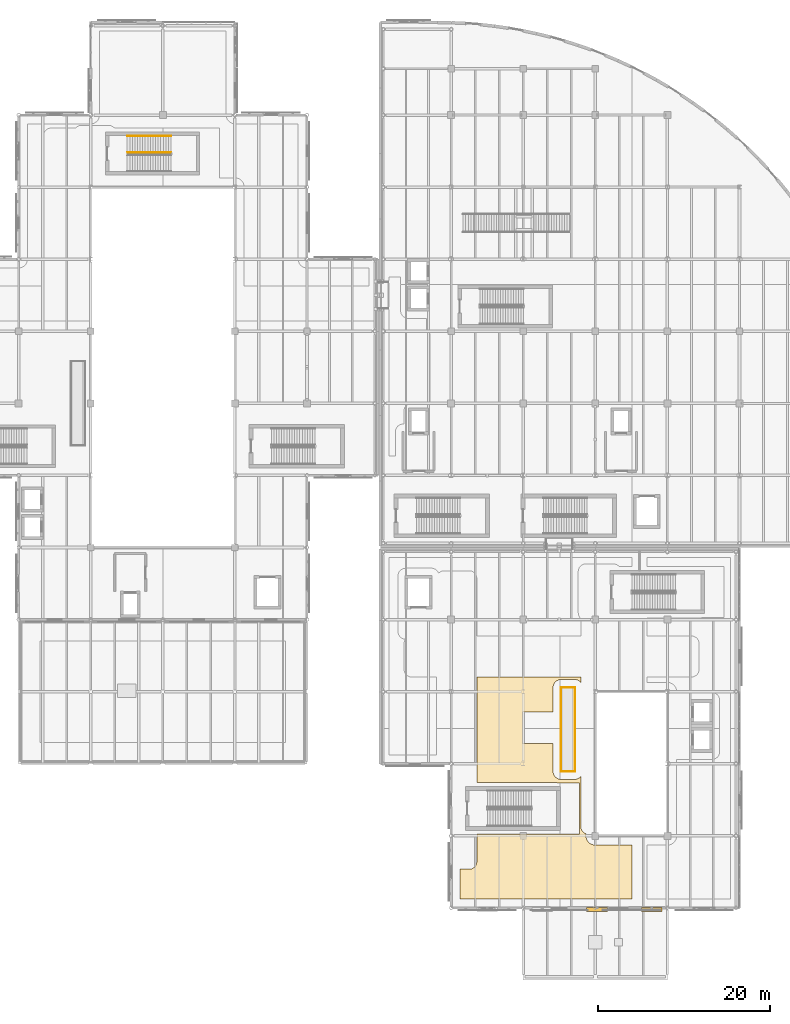
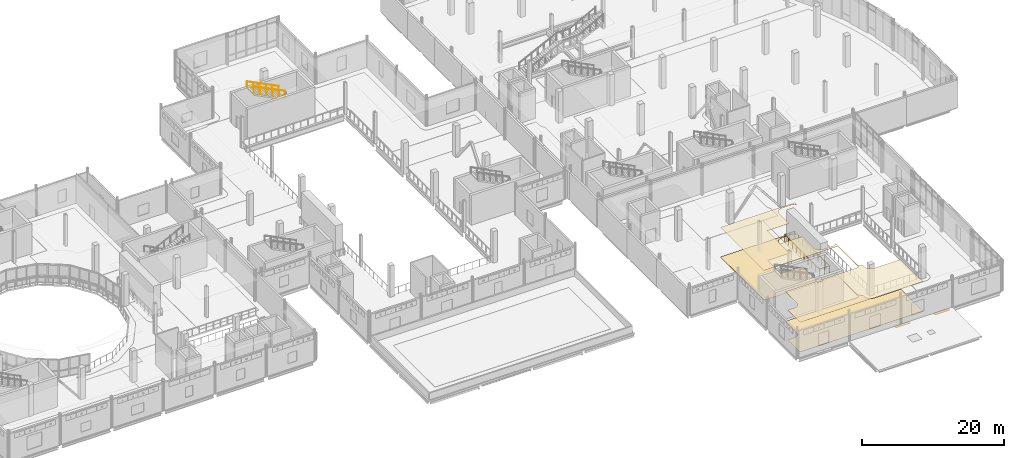
# One storey, part 104 of 110: 3 railings, 2 coverings, 2 shading devices.
"""IFC4 building model written with IfcOpenShell, lengths in metres."""

from ifc_helpers import new_model, si_unit, direction, frame, origin, origin_2d, place, context, subcontext, project, spatial, polyline, rectangle, circle, outline, extrude, material, layer, layer_set, type_object, element, save


model = new_model("IFC4")

# Units and contexts
model_context = context("Model", 3, precision=1e-05, world=origin(), true_north=direction((0.0, 1.0)))
body_context = subcontext(model_context, "Body", "Model", "MODEL_VIEW")
ifc_project = project(units=[si_unit("LENGTHUNIT", "METRE"), si_unit("AREAUNIT", "SQUARE_METRE"), si_unit("VOLUMEUNIT", "CUBIC_METRE"), si_unit("PLANEANGLEUNIT", "RADIAN"), si_unit("MASSUNIT", "GRAM", prefix="KILO"), si_unit("THERMODYNAMICTEMPERATUREUNIT", "KELVIN")], contexts=[model_context])

# Site, building, storey
site_placement = place(None, origin())
site = spatial("IfcSite", under=ifc_project, at=site_placement, CompositionType="ELEMENT")
building_placement = place(site_placement, origin())
building = spatial("IfcBuilding", under=site, at=building_placement, Name="Lustrewick Department Store", CompositionType="ELEMENT")
storey_placement = place(building_placement, frame((0.0, 0.0, 6.0)))
storey = spatial("IfcBuildingStorey", under=building, at=storey_placement, Name="L02", CompositionType="ELEMENT", Elevation=6.0)

# Coverings
ifc_material_1 = material(Name="Perforated mineral-fibre acoustic ceiling board", Category="gypsum")
ifc_layer_1 = layer(ifc_material_1, 0.02490234375, Name="Perforated mineral-fibre acoustic ceiling board")
ifc_layer_set_1 = layer_set([ifc_layer_1], Name="Perforated mineral-fibre acoustic ceiling board")
covering_type_1 = type_object("IfcCoveringType", Name="COV-CEIL", PredefinedType="CEILING", material=ifc_layer_set_1)
covering_1_placement = place(storey_placement, frame((0.0, 0.0, 5.1201171875)))
element("IfcCovering", 1, at=covering_1_placement, inside=storey, type_object=covering_type_1, Name="L02 Upper Food Hall Dining Acoustic Ceiling", PredefinedType="CEILING", context=body_context, shape_type="SweptSolid", body=[
    extrude(outline(polyline([(118.6201171875, 9.419921875), (138.67822265625, 9.419921875), (138.67822265625, 15.719970703125), (134.39892578125, 15.719970703125), (134.356201171875, 15.72119140625), (134.333740234375, 15.72216796875), (134.256591796875, 15.729736328125), (134.2333984375, 15.733154296875), (134.1484375, 15.749755859375), (134.12548828125, 15.755615234375), (134.046630859375, 15.779541015625), (134.024658203125, 15.78759765625), (133.94970703125, 15.818603515625), (133.92822265625, 15.82861328125), (133.85400390625, 15.868408203125), (133.833740234375, 15.880615234375), (133.766845703125, 15.92529296875), (133.747802734375, 15.939453125), (133.68212890625, 15.993408203125), (133.664794921875, 16.009033203125), (133.609130859375, 16.064697265625), (133.59326171875, 16.082275390625), (133.539306640625, 16.147705078125), (133.525390625, 16.166748046875), (133.48046875, 16.23388671875), (133.468505859375, 16.25390625), (133.4287109375, 16.328369140625), (133.41845703125, 16.349609375), (133.387451171875, 16.424560546875), (133.379638671875, 16.446533203125), (133.355712890625, 16.525390625), (133.349853515625, 16.548583984375), (133.3330078125, 16.63330078125), (133.329833984375, 16.656494140625), (133.322265625, 16.733642578125), (133.321044921875, 16.756103515625), (133.320068359375, 16.799072265625), (133.320068359375, 17.05517578125), (133.241455078125, 17.08544921875), (133.23876953125, 17.086669921875), (133.236328125, 17.087890625), (133.16943359375, 17.12109375), (133.16552734375, 17.123291015625), (133.10400390625, 17.160888671875), (133.0458984375, 17.20361328125), (133.04150390625, 17.20703125), (132.970703125, 17.2705078125), (132.906982421875, 17.34130859375), (132.903564453125, 17.345947265625), (132.86083984375, 17.404052734375), (132.8232421875, 17.465576171875), (132.821044921875, 17.469482421875), (132.787841796875, 17.536376953125), (132.785400390625, 17.54150390625), (132.75439453125, 17.62158203125), (132.731689453125, 17.704345703125), (132.731201171875, 17.70751953125), (132.727294921875, 17.72509765625), (132.726806640625, 17.728515625), (132.714111328125, 17.812255859375), (132.7099609375, 17.89697265625), (132.7099609375, 23.73291015625), (132.681396484375, 23.697998046875), (132.672119140625, 23.6875), (132.6123046875, 23.6279296875), (132.60205078125, 23.61865234375), (132.5400390625, 23.567626953125), (132.529052734375, 23.5595703125), (132.460205078125, 23.51318359375), (132.4482421875, 23.506103515625), (132.3779296875, 23.468505859375), (132.365478515625, 23.46240234375), (132.284423828125, 23.428955078125), (132.271484375, 23.42431640625), (132.1962890625, 23.401611328125), (132.18310546875, 23.398193359375), (132.097412109375, 23.381103515625), (132.083740234375, 23.37939453125), (132.006591796875, 23.37158203125), (131.993896484375, 23.37109375), (131.950927734375, 23.3701171875), (130.448974609375, 23.3701171875), (130.40625, 23.37109375), (130.3935546875, 23.37158203125), (130.31640625, 23.37939453125), (130.302734375, 23.381103515625), (130.217041015625, 23.398193359375), (130.20361328125, 23.401611328125), (130.12841796875, 23.42431640625), (130.115478515625, 23.428955078125), (130.034423828125, 23.46240234375), (130.022216796875, 23.468505859375), (129.951904296875, 23.506103515625), (129.93994140625, 23.51318359375), (129.870849609375, 23.5595703125), (129.860107421875, 23.567626953125), (129.7978515625, 23.61865234375), (129.78759765625, 23.6279296875), (129.727783203125, 23.6875), (129.71875, 23.697998046875), (129.667724609375, 23.760009765625), (129.65966796875, 23.77099609375), (129.61328125, 23.83984375), (129.606201171875, 23.851806640625), (129.568359375, 23.922119140625), (129.5625, 23.9345703125), (129.529052734375, 24.015380859375), (129.5244140625, 24.028564453125), (129.501708984375, 24.103515625), (129.498291015625, 24.116943359375), (129.481201171875, 24.20263671875), (129.479248046875, 24.21630859375), (129.4716796875, 24.29345703125), (129.47119140625, 24.30615234375), (129.469970703125, 24.34912109375), (129.469970703125, 27.570068359375), (125.919921875, 27.570068359375), (125.919921875, 31.22998046875), (129.469970703125, 31.22998046875), (129.469970703125, 34.051025390625), (129.47119140625, 34.09375), (129.4716796875, 34.1064453125), (129.479248046875, 34.18359375), (129.481201171875, 34.197265625), (129.498291015625, 34.282958984375), (129.501708984375, 34.29638671875), (129.5244140625, 34.37158203125), (129.529052734375, 34.384521484375), (129.5625, 34.465576171875), (129.568359375, 34.477783203125), (129.606201171875, 34.548095703125), (129.61328125, 34.56005859375), (129.65966796875, 34.629150390625), (129.667724609375, 34.639892578125), (129.71875, 34.7021484375), (129.727783203125, 34.71240234375), (129.78759765625, 34.772216796875), (129.7978515625, 34.78125), (129.860107421875, 34.832275390625), (129.870849609375, 34.84033203125), (129.93994140625, 34.88671875), (129.951904296875, 34.893798828125), (130.022216796875, 34.931640625), (130.034423828125, 34.9375), (130.115478515625, 34.970947265625), (130.12841796875, 34.9755859375), (130.20361328125, 34.998291015625), (130.217041015625, 35.001708984375), (130.302734375, 35.018798828125), (130.31640625, 35.020751953125), (130.3935546875, 35.0283203125), (130.40625, 35.02880859375), (130.448974609375, 35.030029296875), (131.950927734375, 35.030029296875), (131.993896484375, 35.02880859375), (132.006591796875, 35.0283203125), (132.083740234375, 35.020751953125), (132.097412109375, 35.018798828125), (132.18310546875, 35.001708984375), (132.1962890625, 34.998291015625), (132.271484375, 34.9755859375), (132.284423828125, 34.970947265625), (132.365478515625, 34.9375), (132.3779296875, 34.931640625), (132.4482421875, 34.893798828125), (132.460205078125, 34.88671875), (132.529052734375, 34.84033203125), (132.5400390625, 34.832275390625), (132.60205078125, 34.78125), (132.6123046875, 34.772216796875), (132.672119140625, 34.71240234375), (132.681396484375, 34.7021484375), (132.7099609375, 34.667236328125), (132.7099609375, 35.31005859375), (120.590087890625, 35.31005859375), (120.590087890625, 22.989990234375), (129.903076171875, 22.989990234375), (129.98779296875, 22.98583984375), (130.026611328125, 22.97998046875), (132.580078125, 22.97998046875), (132.580078125, 17.02001953125), (130.026611328125, 17.02001953125), (129.98779296875, 17.01416015625), (129.903076171875, 17.010009765625), (120.590087890625, 17.010009765625), (120.590087890625, 13.797119140625), (120.585693359375, 13.71240234375), (120.5732421875, 13.62841796875), (120.572509765625, 13.625), (120.56884765625, 13.607421875), (120.568115234375, 13.604248046875), (120.54541015625, 13.521484375), (120.5146484375, 13.44140625), (120.51220703125, 13.436279296875), (120.47900390625, 13.369384765625), (120.476806640625, 13.365478515625), (120.439208984375, 13.30419921875), (120.396484375, 13.24609375), (120.392822265625, 13.241455078125), (120.329345703125, 13.170654296875), (120.258544921875, 13.107177734375), (120.25390625, 13.103515625), (120.19580078125, 13.060791015625), (120.134521484375, 13.023193359375), (120.130615234375, 13.02099609375), (120.063720703125, 12.98779296875), (120.05859375, 12.9853515625), (119.978515625, 12.95458984375), (119.895751953125, 12.931884765625), (119.892578125, 12.93115234375), (119.875, 12.927490234375), (119.87158203125, 12.9267578125), (119.78759765625, 12.914306640625), (119.702880859375, 12.909912109375), (118.6201171875, 12.909912109375), (118.6201171875, 9.419921875)])), origin(), (0.0, 0.0, 1.0), 0.02490234375),
])
ifc_material_2 = material(Name="Polished terrazzo and porcelain floor finish", Category="masonry")
ifc_layer_2 = layer(ifc_material_2, 0.02001953125, Name="Polished terrazzo and porcelain floor finish")
ifc_layer_set_2 = layer_set([ifc_layer_2], Name="Polished terrazzo and porcelain floor finish")
covering_type_2 = type_object("IfcCoveringType", Name="COV-FLR", PredefinedType="FLOORING", material=ifc_layer_set_2)
covering_2_placement = place(storey_placement, origin())
element("IfcCovering", 2, at=covering_2_placement, inside=storey, type_object=covering_type_2, Name="L02 Upper Food Hall Dining Terrazzo Flooring", PredefinedType="FLOORING", context=body_context, shape_type="SweptSolid", body=[
    extrude(outline(polyline([(118.6201171875, 9.419921875), (138.67822265625, 9.419921875), (138.67822265625, 15.719970703125), (134.39892578125, 15.719970703125), (134.356201171875, 15.72119140625), (134.333740234375, 15.72216796875), (134.256591796875, 15.729736328125), (134.2333984375, 15.733154296875), (134.1484375, 15.749755859375), (134.12548828125, 15.755615234375), (134.046630859375, 15.779541015625), (134.024658203125, 15.78759765625), (133.94970703125, 15.818603515625), (133.92822265625, 15.82861328125), (133.85400390625, 15.868408203125), (133.833740234375, 15.880615234375), (133.766845703125, 15.92529296875), (133.747802734375, 15.939453125), (133.68212890625, 15.993408203125), (133.664794921875, 16.009033203125), (133.609130859375, 16.064697265625), (133.59326171875, 16.082275390625), (133.539306640625, 16.147705078125), (133.525390625, 16.166748046875), (133.48046875, 16.23388671875), (133.468505859375, 16.25390625), (133.4287109375, 16.328369140625), (133.41845703125, 16.349609375), (133.387451171875, 16.424560546875), (133.379638671875, 16.446533203125), (133.355712890625, 16.525390625), (133.349853515625, 16.548583984375), (133.3330078125, 16.63330078125), (133.329833984375, 16.656494140625), (133.322265625, 16.733642578125), (133.321044921875, 16.756103515625), (133.320068359375, 16.799072265625), (133.320068359375, 17.05517578125), (133.241455078125, 17.08544921875), (133.23876953125, 17.086669921875), (133.236328125, 17.087890625), (133.16943359375, 17.12109375), (133.16552734375, 17.123291015625), (133.10400390625, 17.160888671875), (133.0458984375, 17.20361328125), (133.04150390625, 17.20703125), (132.970703125, 17.2705078125), (132.906982421875, 17.34130859375), (132.903564453125, 17.345947265625), (132.86083984375, 17.404052734375), (132.8232421875, 17.465576171875), (132.821044921875, 17.469482421875), (132.787841796875, 17.536376953125), (132.785400390625, 17.54150390625), (132.75439453125, 17.62158203125), (132.731689453125, 17.704345703125), (132.731201171875, 17.70751953125), (132.727294921875, 17.72509765625), (132.726806640625, 17.728515625), (132.714111328125, 17.812255859375), (132.7099609375, 17.89697265625), (132.7099609375, 23.73291015625), (132.681396484375, 23.697998046875), (132.672119140625, 23.6875), (132.6123046875, 23.6279296875), (132.60205078125, 23.61865234375), (132.5400390625, 23.567626953125), (132.529052734375, 23.5595703125), (132.460205078125, 23.51318359375), (132.4482421875, 23.506103515625), (132.3779296875, 23.468505859375), (132.365478515625, 23.46240234375), (132.284423828125, 23.428955078125), (132.271484375, 23.42431640625), (132.1962890625, 23.401611328125), (132.18310546875, 23.398193359375), (132.097412109375, 23.381103515625), (132.083740234375, 23.37939453125), (132.006591796875, 23.37158203125), (131.993896484375, 23.37109375), (131.950927734375, 23.3701171875), (130.448974609375, 23.3701171875), (130.40625, 23.37109375), (130.3935546875, 23.37158203125), (130.31640625, 23.37939453125), (130.302734375, 23.381103515625), (130.217041015625, 23.398193359375), (130.20361328125, 23.401611328125), (130.12841796875, 23.42431640625), (130.115478515625, 23.428955078125), (130.034423828125, 23.46240234375), (130.022216796875, 23.468505859375), (129.951904296875, 23.506103515625), (129.93994140625, 23.51318359375), (129.870849609375, 23.5595703125), (129.860107421875, 23.567626953125), (129.7978515625, 23.61865234375), (129.78759765625, 23.6279296875), (129.727783203125, 23.6875), (129.71875, 23.697998046875), (129.667724609375, 23.760009765625), (129.65966796875, 23.77099609375), (129.61328125, 23.83984375), (129.606201171875, 23.851806640625), (129.568359375, 23.922119140625), (129.5625, 23.9345703125), (129.529052734375, 24.015380859375), (129.5244140625, 24.028564453125), (129.501708984375, 24.103515625), (129.498291015625, 24.116943359375), (129.481201171875, 24.20263671875), (129.479248046875, 24.21630859375), (129.4716796875, 24.29345703125), (129.47119140625, 24.30615234375), (129.469970703125, 24.34912109375), (129.469970703125, 27.570068359375), (125.919921875, 27.570068359375), (125.919921875, 31.22998046875), (129.469970703125, 31.22998046875), (129.469970703125, 34.051025390625), (129.47119140625, 34.09375), (129.4716796875, 34.1064453125), (129.479248046875, 34.18359375), (129.481201171875, 34.197265625), (129.498291015625, 34.282958984375), (129.501708984375, 34.29638671875), (129.5244140625, 34.37158203125), (129.529052734375, 34.384521484375), (129.5625, 34.465576171875), (129.568359375, 34.477783203125), (129.606201171875, 34.548095703125), (129.61328125, 34.56005859375), (129.65966796875, 34.629150390625), (129.667724609375, 34.639892578125), (129.71875, 34.7021484375), (129.727783203125, 34.71240234375), (129.78759765625, 34.772216796875), (129.7978515625, 34.78125), (129.860107421875, 34.832275390625), (129.870849609375, 34.84033203125), (129.93994140625, 34.88671875), (129.951904296875, 34.893798828125), (130.022216796875, 34.931640625), (130.034423828125, 34.9375), (130.115478515625, 34.970947265625), (130.12841796875, 34.9755859375), (130.20361328125, 34.998291015625), (130.217041015625, 35.001708984375), (130.302734375, 35.018798828125), (130.31640625, 35.020751953125), (130.3935546875, 35.0283203125), (130.40625, 35.02880859375), (130.448974609375, 35.030029296875), (131.950927734375, 35.030029296875), (131.993896484375, 35.02880859375), (132.006591796875, 35.0283203125), (132.083740234375, 35.020751953125), (132.097412109375, 35.018798828125), (132.18310546875, 35.001708984375), (132.1962890625, 34.998291015625), (132.271484375, 34.9755859375), (132.284423828125, 34.970947265625), (132.365478515625, 34.9375), (132.3779296875, 34.931640625), (132.4482421875, 34.893798828125), (132.460205078125, 34.88671875), (132.529052734375, 34.84033203125), (132.5400390625, 34.832275390625), (132.60205078125, 34.78125), (132.6123046875, 34.772216796875), (132.672119140625, 34.71240234375), (132.681396484375, 34.7021484375), (132.7099609375, 34.667236328125), (132.7099609375, 35.31005859375), (120.590087890625, 35.31005859375), (120.590087890625, 22.989990234375), (129.903076171875, 22.989990234375), (129.98779296875, 22.98583984375), (130.026611328125, 22.97998046875), (132.580078125, 22.97998046875), (132.580078125, 17.02001953125), (130.026611328125, 17.02001953125), (129.98779296875, 17.01416015625), (129.903076171875, 17.010009765625), (120.590087890625, 17.010009765625), (120.590087890625, 13.797119140625), (120.585693359375, 13.71240234375), (120.5732421875, 13.62841796875), (120.572509765625, 13.625), (120.56884765625, 13.607421875), (120.568115234375, 13.604248046875), (120.54541015625, 13.521484375), (120.5146484375, 13.44140625), (120.51220703125, 13.436279296875), (120.47900390625, 13.369384765625), (120.476806640625, 13.365478515625), (120.439208984375, 13.30419921875), (120.396484375, 13.24609375), (120.392822265625, 13.241455078125), (120.329345703125, 13.170654296875), (120.258544921875, 13.107177734375), (120.25390625, 13.103515625), (120.19580078125, 13.060791015625), (120.134521484375, 13.023193359375), (120.130615234375, 13.02099609375), (120.063720703125, 12.98779296875), (120.05859375, 12.9853515625), (119.978515625, 12.95458984375), (119.895751953125, 12.931884765625), (119.892578125, 12.93115234375), (119.875, 12.927490234375), (119.87158203125, 12.9267578125), (119.78759765625, 12.914306640625), (119.702880859375, 12.909912109375), (118.6201171875, 12.909912109375), (118.6201171875, 9.419921875)])), origin(), (0.0, 0.0, 1.0), 0.02001953125),
])

# Railings
ifc_material_3 = material(Name="Laminated safety glass and bronze atrium balustrade", Category="glass")
railing_type_1 = type_object("IfcRailingType", Name="RL-BAL", PredefinedType="BALUSTRADE", material=ifc_material_3)
railing_1_placement = place(storey_placement, frame((130.389892578125, 24.2900390625, 0.0)))
element("IfcRailing", 3, at=railing_1_placement, inside=storey, type_object=railing_type_1, Name="L02 V3 Escalator Well Balustrade 0018", PredefinedType="BALUSTRADE", context=body_context, shape_type="SweptSolid", body=[
    extrude(circle(Radius=0.02392578125, at=origin_2d()), frame((0.0, 0.0, 1.17578125), z_axis=(0.0, 1.0, 0.0), x_axis=(-1.0, 0.0, 0.0)), (0.0, 0.0, 1.0), 9.820068359375),
    extrude(circle(Radius=0.02392578125, at=origin_2d()), frame((0.0, 9.820068359375, 1.17578125), z_axis=(1.0, 0.0, 0.0), x_axis=(0.0, 1.0, 0.0)), (0.0, 0.0, 1.0), 1.6201171875),
    extrude(circle(Radius=0.02392578125, at=origin_2d()), frame((1.6201171875, 9.820068359375, 1.17578125), z_axis=(0.0, -1.0, 0.0), x_axis=(1.0, 0.0, 0.0)), (0.0, 0.0, 1.0), 9.820068359375),
    extrude(circle(Radius=0.02392578125, at=origin_2d()), frame((1.6201171875, 0.0, 1.17578125), z_axis=(-1.0, 0.0, 0.0), x_axis=(0.0, -1.0, 0.0)), (0.0, 0.0, 1.0), 1.6201171875),
    extrude(circle(Radius=0.02099609375, at=origin_2d()), origin(), (0.0, 0.0, 1.0), 1.15185546875),
    extrude(circle(Radius=0.02099609375, at=origin_2d()), frame((0.0, 1.091064453125, 0.0)), (0.0, 0.0, 1.0), 1.15185546875),
    extrude(circle(Radius=0.02099609375, at=origin_2d()), frame((0.0, 2.18212890625, 0.0)), (0.0, 0.0, 1.0), 1.15185546875),
    extrude(circle(Radius=0.02099609375, at=origin_2d()), frame((0.0, 3.2734375, 0.0)), (0.0, 0.0, 1.0), 1.15185546875),
    extrude(circle(Radius=0.02099609375, at=origin_2d()), frame((0.0, 4.364501953125, 0.0)), (0.0, 0.0, 1.0), 1.15185546875),
    extrude(circle(Radius=0.02099609375, at=origin_2d()), frame((0.0, 5.45556640625, 0.0)), (0.0, 0.0, 1.0), 1.15185546875),
    extrude(circle(Radius=0.02099609375, at=origin_2d()), frame((0.0, 6.546630859375, 0.0)), (0.0, 0.0, 1.0), 1.15185546875),
    extrude(circle(Radius=0.02099609375, at=origin_2d()), frame((0.0, 7.637939453125, 0.0)), (0.0, 0.0, 1.0), 1.15185546875),
    extrude(circle(Radius=0.02099609375, at=origin_2d()), frame((0.0, 8.72900390625, 0.0)), (0.0, 0.0, 1.0), 1.15185546875),
    extrude(circle(Radius=0.02099609375, at=origin_2d()), frame((0.0, 9.820068359375, 0.0)), (0.0, 0.0, 1.0), 1.15185546875),
    extrude(circle(Radius=0.02099609375, at=origin_2d()), frame((0.81005859375, 9.820068359375, 0.0)), (0.0, 0.0, 1.0), 1.15185546875),
    extrude(circle(Radius=0.02099609375, at=origin_2d()), frame((1.6201171875, 9.820068359375, 0.0)), (0.0, 0.0, 1.0), 1.15185546875),
    extrude(circle(Radius=0.02099609375, at=origin_2d()), frame((1.6201171875, 8.72900390625, 0.0)), (0.0, 0.0, 1.0), 1.15185546875),
    extrude(circle(Radius=0.02099609375, at=origin_2d()), frame((1.6201171875, 7.637939453125, 0.0)), (0.0, 0.0, 1.0), 1.15185546875),
    extrude(circle(Radius=0.02099609375, at=origin_2d()), frame((1.6201171875, 6.546630859375, 0.0)), (0.0, 0.0, 1.0), 1.15185546875),
    extrude(circle(Radius=0.02099609375, at=origin_2d()), frame((1.6201171875, 5.45556640625, 0.0)), (0.0, 0.0, 1.0), 1.15185546875),
    extrude(circle(Radius=0.02099609375, at=origin_2d()), frame((1.6201171875, 4.364501953125, 0.0)), (0.0, 0.0, 1.0), 1.15185546875),
    extrude(circle(Radius=0.02099609375, at=origin_2d()), frame((1.6201171875, 3.2734375, 0.0)), (0.0, 0.0, 1.0), 1.15185546875),
    extrude(circle(Radius=0.02099609375, at=origin_2d()), frame((1.6201171875, 2.18212890625, 0.0)), (0.0, 0.0, 1.0), 1.15185546875),
    extrude(circle(Radius=0.02099609375, at=origin_2d()), frame((1.6201171875, 1.091064453125, 0.0)), (0.0, 0.0, 1.0), 1.15185546875),
    extrude(circle(Radius=0.02099609375, at=origin_2d()), frame((1.6201171875, 0.0, 0.0)), (0.0, 0.0, 1.0), 1.15185546875),
    extrude(circle(Radius=0.02099609375, at=origin_2d()), frame((0.81005859375, 0.0, 0.0)), (0.0, 0.0, 1.0), 1.15185546875),
])
ifc_material_4 = material(Name="Painted tubular steel stairwell guardrail", Category="steel")
railing_type_2 = type_object("IfcRailingType", Name="RL-STG", PredefinedType="GUARDRAIL", material=ifc_material_4)
railing_2_placement = place(storey_placement, frame((84.949951171875, 96.449951171875, 2.85009765625)))
element("IfcRailing", 4, at=railing_2_placement, inside=storey, type_object=railing_type_2, Name="L02 ST06 Stair Guard 3", PredefinedType="GUARDRAIL", context=body_context, shape_type="SweptSolid", body=[
    extrude(circle(Radius=0.02392578125, at=origin_2d()), frame((0.0, 0.0, 1.17578125), z_axis=(-0.894435754537, 0.0, 0.447196468016), x_axis=(0.0, -1.0, 0.0)), (0.0, 0.0, 1.0), 5.70166015625),
    extrude(circle(Radius=0.02099609375, at=origin_2d()), origin(), (0.0, 0.0, 1.0), 1.15185546875),
    extrude(circle(Radius=0.02099609375, at=origin_2d()), frame((-1.02001953125, 0.0, 0.510009765625)), (0.0, 0.0, 1.0), 1.15185546875),
    extrude(circle(Radius=0.02099609375, at=origin_2d()), frame((-2.0400390625, 0.0, 1.02001953125)), (0.0, 0.0, 1.0), 1.15185546875),
    extrude(circle(Radius=0.02099609375, at=origin_2d()), frame((-3.059814453125, 0.0, 1.52978515625)), (0.0, 0.0, 1.0), 1.15185546875),
    extrude(circle(Radius=0.02099609375, at=origin_2d()), frame((-4.079833984375, 0.0, 2.039794921875)), (0.0, 0.0, 1.0), 1.15185546875),
    extrude(circle(Radius=0.02099609375, at=origin_2d()), frame((-5.099853515625, 0.0, 2.5498046875)), (0.0, 0.0, 1.0), 1.15185546875),
])
ifc_material_5 = material(Name="Brushed stainless steel wall handrail", Category="steel")
railing_type_3 = type_object("IfcRailingType", Name="RL-STH", PredefinedType="HANDRAIL", material=ifc_material_5)
railing_3_placement = place(storey_placement, frame((84.949951171875, 98.35009765625, 2.85009765625)))
element("IfcRailing", 5, at=railing_3_placement, inside=storey, type_object=railing_type_3, Name="L02 ST06 Stair Handrail 2", PredefinedType="HANDRAIL", context=body_context, shape_type="SweptSolid", body=[
    extrude(circle(Radius=0.02392578125, at=origin_2d()), frame((0.0, 0.0, 0.8759765625), z_axis=(-0.894435754537, 0.0, 0.447196468016), x_axis=(0.0, -1.0, 0.0)), (0.0, 0.0, 1.0), 5.70166015625),
    extrude(circle(Radius=0.02099609375, at=origin_2d()), origin(), (0.0, 0.0, 1.0), 0.851806640625),
    extrude(circle(Radius=0.02099609375, at=origin_2d()), frame((-1.02001953125, 0.0, 0.510009765625)), (0.0, 0.0, 1.0), 0.851806640625),
    extrude(circle(Radius=0.02099609375, at=origin_2d()), frame((-2.0400390625, 0.0, 1.02001953125)), (0.0, 0.0, 1.0), 0.851806640625),
    extrude(circle(Radius=0.02099609375, at=origin_2d()), frame((-3.059814453125, 0.0, 1.52978515625)), (0.0, 0.0, 1.0), 0.851806640625),
    extrude(circle(Radius=0.02099609375, at=origin_2d()), frame((-4.079833984375, 0.0, 2.039794921875)), (0.0, 0.0, 1.0), 0.851806640625),
    extrude(circle(Radius=0.02099609375, at=origin_2d()), frame((-5.099853515625, 0.0, 2.5498046875)), (0.0, 0.0, 1.0), 0.851806640625),
])

# Shading devices
ifc_material_6 = material(Name="Perforated white powder-coated aluminium 3003-H24", Category="aluminium")
shading_device_type = type_object("IfcShadingDeviceType", Name="SHD-LOUV", PredefinedType="USERDEFINED", material=ifc_material_6)
for number, where, z_axis, x_axis, name in (
    (6, (134.60009765625, 8.199951171875, -0.16015625), (0.0, 0.0, 1.0), (1.0, 0.0, 0.0), "L02 External Sun Louvre 03"),
    (7, (141.0, 8.199951171875, -0.16015625), (0.0, 0.0, 1.0), (1.0, 0.0, 0.0), "L02 External Sun Louvre 04"),
):
    element("IfcShadingDevice", number, at=place(storey_placement, frame(where, z_axis=z_axis, x_axis=x_axis)), inside=storey, type_object=shading_device_type, Name=name, ObjectType="LOUVRE", PredefinedType="USERDEFINED", context=body_context, shape_type="SweptSolid", body=[
        extrude(rectangle(XDim=2.39990234375, YDim=0.449951171875, at=origin_2d()), origin(), (0.0, 0.0, 1.0), 0.080078125),
    ])

save(model, "model.ifc")
